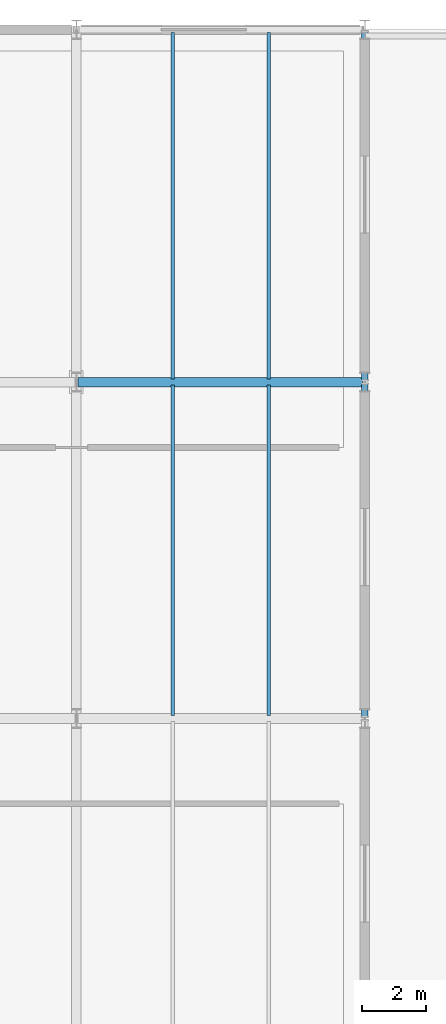
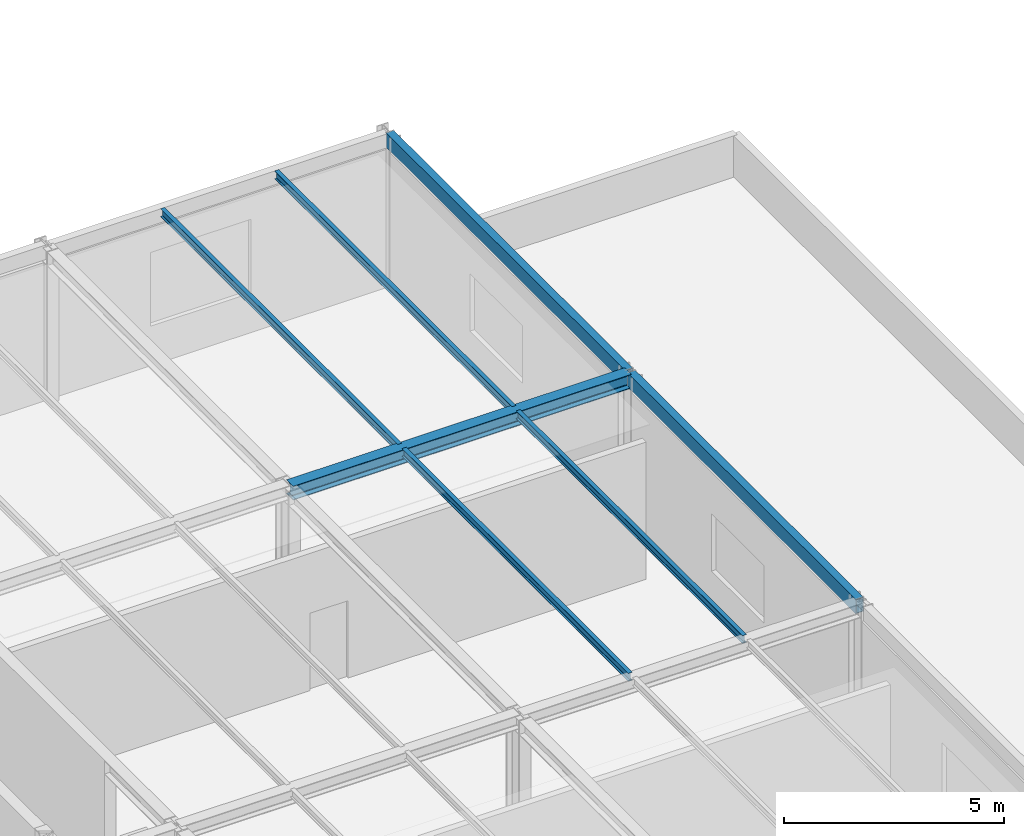
# One storey, part 33 of 105: 7 beams.
"""IFC4 building model written with IfcOpenShell, lengths in metres."""

from ifc_helpers import new_model, si_unit, direction, frame, origin, origin_2d, place, context, subcontext, project, spatial, hollow_rectangle, i_section, extrude, material, material_profile, profile_set, type_object, element, save


model = new_model("IFC4")

# Units and contexts
model_context = context("Model", 3, precision=1e-05, world=origin(), true_north=direction((0.0, 1.0)))
body_context = subcontext(model_context, "Body", "Model", "MODEL_VIEW")
ifc_project = project(units=[si_unit("LENGTHUNIT", "METRE"), si_unit("AREAUNIT", "SQUARE_METRE"), si_unit("VOLUMEUNIT", "CUBIC_METRE"), si_unit("PLANEANGLEUNIT", "RADIAN"), si_unit("MASSUNIT", "GRAM", prefix="KILO")], contexts=[model_context])

# Site, building, storey
site_placement = place(None, origin())
site = spatial("IfcSite", under=ifc_project, at=site_placement, CompositionType="ELEMENT")
building_placement = place(site_placement, origin())
building = spatial("IfcBuilding", under=site, at=building_placement, Name="Marlcrest Central Station", CompositionType="ELEMENT")
storey_placement = place(building_placement, frame((0.0, 0.0, 15.0)))
storey = spatial("IfcBuildingStorey", under=building, at=storey_placement, Name="L03", CompositionType="ELEMENT", Elevation=15.0)

# Beams
ifc_material = material(Name="Steel S355", Category="steel")
ifc_material_profile_1 = material_profile(ifc_material, i_section(OverallWidth=0.300048828125, OverallDepth=0.389892578125, WebThickness=0.010986328125, FlangeThickness=0.01904296875, FilletRadius=0.027099609375, at=origin_2d()), Name="HEA 400")
ifc_profile_set_1 = profile_set([ifc_material_profile_1], Name="Steel S355")
beam_type_1 = type_object("IfcBeamType", Name="BM-08", PredefinedType="BEAM", material=ifc_profile_set_1)
beam_1_placement = place(storey_placement, frame((63.050048828125, 121.0, 4.0400390625), z_axis=(1.0, 0.0, 0.0), x_axis=(0.0, 1.0, 0.0)))
element("IfcBeam", 1, at=beam_1_placement, inside=storey, type_object=beam_type_1, Name="bm-BM-08-L03-00491", PredefinedType="BEAM", context=body_context, shape_type="SweptSolid", body=[
    extrude(i_section(OverallWidth=0.300048828125, OverallDepth=0.389892578125, WebThickness=0.010986328125, FlangeThickness=0.01904296875, FilletRadius=0.027099609375, at=origin_2d()), origin(), (0.0, 0.0, 1.0), 8.89990234375),
])
ifc_material_profile_2 = material_profile(ifc_material, i_section(OverallWidth=0.110107421875, OverallDepth=0.219970703125, WebThickness=0.005859375, FlangeThickness=0.00927734375, FilletRadius=0.011962890625, at=origin_2d()), Name="IPE 220")
ifc_profile_set_2 = profile_set([ifc_material_profile_2], Name="Steel S355")
beam_type_2 = type_object("IfcBeamType", Name="JS-02", PredefinedType="JOIST", material=ifc_profile_set_2)
beam_2_placement = place(storey_placement, frame((66.0, 110.594970703125, 4.125), z_axis=(0.0, 1.0, 0.0), x_axis=(-1.0, 0.0, 0.0)))
element("IfcBeam", 2, at=beam_2_placement, inside=storey, type_object=beam_type_2, Name="bm-JS-02-L03-00570", PredefinedType="JOIST", context=body_context, shape_type="SweptSolid", body=[
    extrude(i_section(OverallWidth=0.110107421875, OverallDepth=0.219970703125, WebThickness=0.005859375, FlangeThickness=0.00927734375, FilletRadius=0.011962890625, at=origin_2d()), origin(), (0.0, 0.0, 1.0), 10.31005859375),
])
beam_3_placement = place(storey_placement, frame((66.0, 121.094970703125, 4.125), z_axis=(0.0, 1.0, 0.0), x_axis=(-1.0, 0.0, 0.0)))
element("IfcBeam", 3, at=beam_3_placement, inside=storey, type_object=beam_type_2, Name="bm-JS-02-L03-00571", PredefinedType="JOIST", context=body_context, shape_type="SweptSolid", body=[
    extrude(i_section(OverallWidth=0.110107421875, OverallDepth=0.219970703125, WebThickness=0.005859375, FlangeThickness=0.00927734375, FilletRadius=0.011962890625, at=origin_2d()), origin(), (0.0, 0.0, 1.0), 10.81005859375),
])
beam_4_placement = place(storey_placement, frame((69.0, 110.594970703125, 4.125), z_axis=(0.0, 1.0, 0.0), x_axis=(-1.0, 0.0, 0.0)))
element("IfcBeam", 4, at=beam_4_placement, inside=storey, type_object=beam_type_2, Name="bm-JS-02-L03-00573", PredefinedType="JOIST", context=body_context, shape_type="SweptSolid", body=[
    extrude(i_section(OverallWidth=0.110107421875, OverallDepth=0.219970703125, WebThickness=0.005859375, FlangeThickness=0.00927734375, FilletRadius=0.011962890625, at=origin_2d()), origin(), (0.0, 0.0, 1.0), 10.31005859375),
])
beam_5_placement = place(storey_placement, frame((69.0, 121.094970703125, 4.125), z_axis=(0.0, 1.0, 0.0), x_axis=(-1.0, 0.0, 0.0)))
element("IfcBeam", 5, at=beam_5_placement, inside=storey, type_object=beam_type_2, Name="bm-JS-02-L03-00574", PredefinedType="JOIST", context=body_context, shape_type="SweptSolid", body=[
    extrude(i_section(OverallWidth=0.110107421875, OverallDepth=0.219970703125, WebThickness=0.005859375, FlangeThickness=0.00927734375, FilletRadius=0.011962890625, at=origin_2d()), origin(), (0.0, 0.0, 1.0), 10.81005859375),
])
ifc_material_profile_3 = material_profile(ifc_material, hollow_rectangle(XDim=0.199951171875, YDim=0.39990234375, WallThickness=0.01611328125, at=origin_2d()), Name="RHS 400x200x16")
ifc_profile_set_3 = profile_set([ifc_material_profile_3], Name="Steel S355")
beam_type_3 = type_object("IfcBeamType", Name="SP-01", PredefinedType="SPANDREL", material=ifc_profile_set_3)
beam_6_placement = place(storey_placement, frame((72.0, 110.550048828125, 4.034912109375), z_axis=(0.0, 1.0, 0.0), x_axis=(-1.0, 0.0, 0.0)))
element("IfcBeam", 6, at=beam_6_placement, inside=storey, type_object=beam_type_3, Name="bm-SP-01-L03-00525", PredefinedType="SPANDREL", context=body_context, shape_type="SweptSolid", body=[
    extrude(hollow_rectangle(XDim=0.199951171875, YDim=0.39990234375, WallThickness=0.01611328125, at=origin_2d()), origin(), (0.0, 0.0, 1.0), 10.39990234375),
])
beam_7_placement = place(storey_placement, frame((72.0, 121.050048828125, 4.034912109375), z_axis=(0.0, 1.0, 0.0), x_axis=(-1.0, 0.0, 0.0)))
element("IfcBeam", 7, at=beam_7_placement, inside=storey, type_object=beam_type_3, Name="bm-SP-01-L03-00526", PredefinedType="SPANDREL", context=body_context, shape_type="SweptSolid", body=[
    extrude(hollow_rectangle(XDim=0.199951171875, YDim=0.39990234375, WallThickness=0.01611328125, at=origin_2d()), origin(), (0.0, 0.0, 1.0), 10.89990234375),
])

save(model, "model.ifc")
